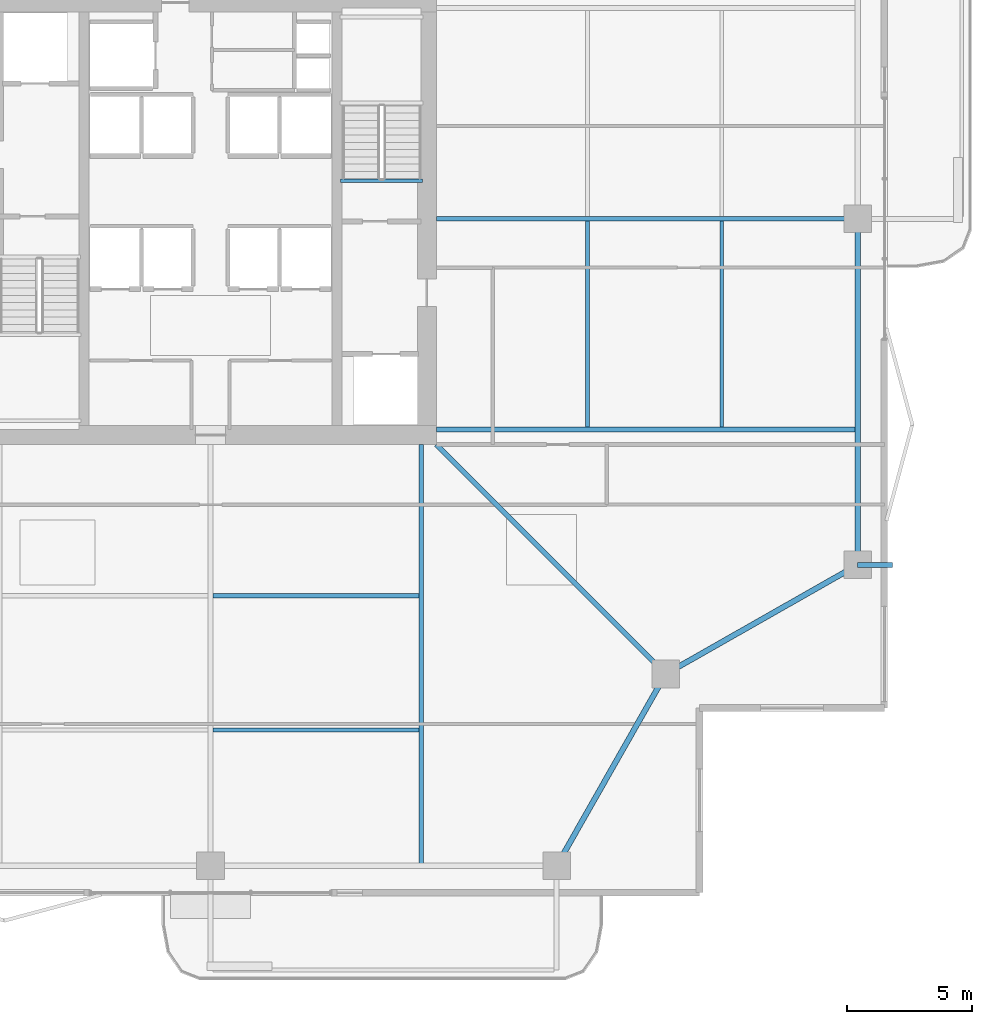
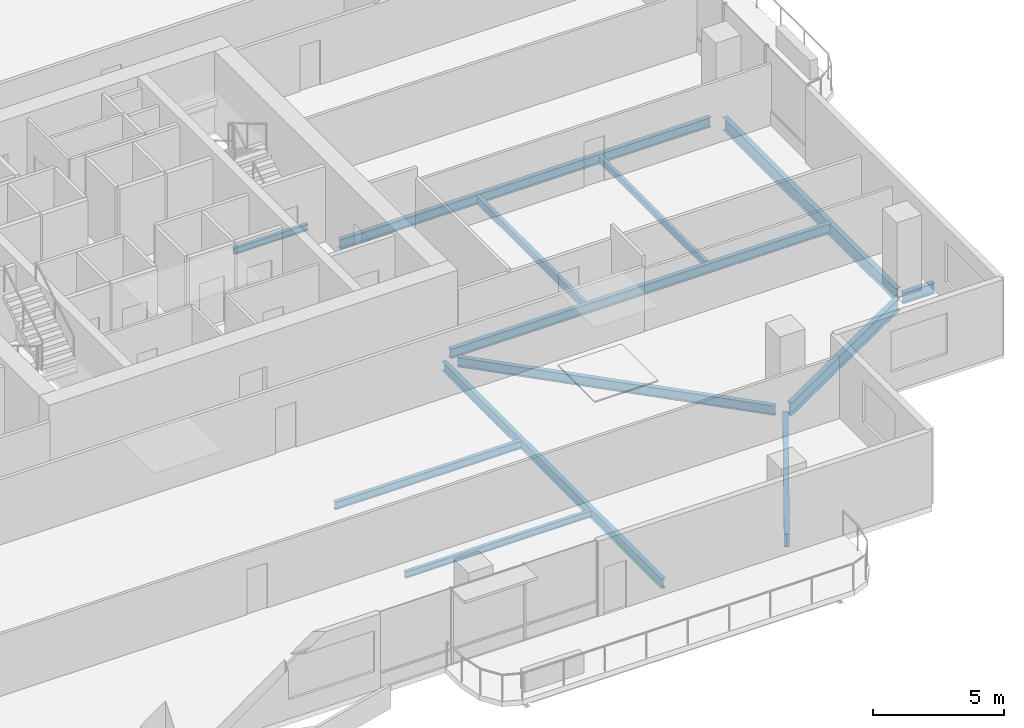
# One storey, part 7 of 24: 13 beams.
"""IFC4 building model written with IfcOpenShell, lengths in metres."""

from ifc_helpers import new_model, si_unit, direction, frame, origin, origin_2d, place, context, subcontext, project, spatial, i_section, extrude, material, material_profile, profile_set, type_object, element, save


model = new_model("IFC4")

# Units and contexts
model_context = context("Model", 3, precision=1e-05, world=origin(), true_north=direction((0.0, 1.0)))
body_context = subcontext(model_context, "Body", "Model", "MODEL_VIEW")
ifc_project = project(units=[si_unit("LENGTHUNIT", "METRE"), si_unit("AREAUNIT", "SQUARE_METRE"), si_unit("VOLUMEUNIT", "CUBIC_METRE"), si_unit("PLANEANGLEUNIT", "RADIAN"), si_unit("MASSUNIT", "GRAM", prefix="KILO")], contexts=[model_context])

# Site, building, storey
site_placement = place(None, origin())
site = spatial("IfcSite", under=ifc_project, at=site_placement, CompositionType="ELEMENT")
building_placement = place(site_placement, origin())
building = spatial("IfcBuilding", under=site, at=building_placement, Name="Belovzor Exchange Tower", CompositionType="ELEMENT")
storey_placement = place(building_placement, frame((0.0, 0.0, 222.449951171875)))
storey = spatial("IfcBuildingStorey", under=building, at=storey_placement, Name="L55", CompositionType="ELEMENT", Elevation=222.449951171875)

# Beams
ifc_material_1 = material(Name="Steel S355", Category="steel")
ifc_material_profile_1 = material_profile(ifc_material_1, i_section(OverallWidth=0.199951171875, OverallDepth=0.5, WebThickness=0.01025390625, FlangeThickness=0.01611328125, at=origin_2d()))
ifc_profile_set_1 = profile_set([ifc_material_profile_1], Name="Steel S355")
beam_type_1 = type_object("IfcBeamType", Name="Planted Balcony Cantilever Beam IPE 500", PredefinedType="BEAM", material=ifc_profile_set_1)
beam_1_placement = place(storey_placement, frame((54.60009765625, 15.0, -0.5), z_axis=(1.0, 0.0, 0.0), x_axis=(0.0, 1.0, 0.0)))
element("IfcBeam", 1, at=beam_1_placement, inside=storey, type_object=beam_type_1, Name="BC-500 Planted Balcony Cantilever Beam IPE 500", PredefinedType="BEAM", context=body_context, shape_type="SweptSolid", body=[
    extrude(i_section(OverallWidth=0.199951171875, OverallDepth=0.5, WebThickness=0.01025390625, FlangeThickness=0.01611328125, at=origin_2d()), origin(), (0.0, 0.0, 1.0), 1.39990234375),
])
ifc_material_2 = material(Name="Steel S355", Category="steel")
ifc_material_profile_2 = material_profile(ifc_material_2, i_section(OverallWidth=0.169921875, OverallDepth=0.360107421875, WebThickness=0.008056640625, FlangeThickness=0.0126953125, at=origin_2d()))
ifc_profile_set_2 = profile_set([ifc_material_profile_2], Name="Steel S355")
beam_type_2 = type_object("IfcBeamType", Name="Secondary Infill Floor Joist IPE 360", PredefinedType="BEAM", material=ifc_profile_set_2)
for number, where, z_axis, x_axis, name in (
    (2, (28.89501953125, 13.77197265625, -0.429931640625), (1.0, 0.0, 0.0), (0.0, 1.0, 0.0), "FJ-360 Secondary Infill Floor Joist IPE 360"),
    (3, (43.827880859375, 20.4951171875, -0.429931640625), (0.0, 1.0, 0.0), (-1.0, 0.0, 0.0), "FJ-360 Secondary Infill Floor Joist IPE 360"),
):
    element("IfcBeam", number, at=place(storey_placement, frame(where, z_axis=z_axis, x_axis=x_axis)), inside=storey, type_object=beam_type_2, Name=name, PredefinedType="BEAM", context=body_context, shape_type="SweptSolid", body=[
        extrude(i_section(OverallWidth=0.169921875, OverallDepth=0.360107421875, WebThickness=0.008056640625, FlangeThickness=0.0126953125, at=origin_2d()), origin(), (0.0, 0.0, 1.0), 8.2099609375),
    ])
ifc_material_3 = material(Name="Steel S355", Category="steel")
ifc_material_profile_3 = material_profile(ifc_material_3, i_section(OverallWidth=0.14990234375, OverallDepth=0.300048828125, WebThickness=0.007080078125, FlangeThickness=0.0107421875, at=origin_2d()))
ifc_profile_set_3 = profile_set([ifc_material_profile_3], Name="Steel S355")
beam_type_3 = type_object("IfcBeamType", Name="Secondary Trim Floor Joist IPE 300", PredefinedType="BEAM", material=ifc_profile_set_3)
beam_2_placement = place(storey_placement, frame((37.260009765625, 30.320068359375, -0.39990234375), z_axis=(-1.0, 0.0, 0.0), x_axis=(0.0, -1.0, 0.0)))
element("IfcBeam", 4, at=beam_2_placement, inside=storey, type_object=beam_type_3, Name="FJ-300 Secondary Trim Floor Joist IPE 300", PredefinedType="BEAM", context=body_context, shape_type="SweptSolid", body=[
    extrude(i_section(OverallWidth=0.14990234375, OverallDepth=0.300048828125, WebThickness=0.007080078125, FlangeThickness=0.0107421875, at=origin_2d()), origin(), (0.0, 0.0, 1.0), 3.27001953125),
])
for number, where, z_axis, x_axis, name in (
    (5, (28.89501953125, 8.4130859375, -0.39990234375), (1.0, 0.0, 0.0), (0.0, 1.0, 0.0), "FJ-300 Secondary Trim Floor Joist IPE 300"),
    (6, (49.18701171875, 20.4951171875, -0.39990234375), (0.0, 1.0, 0.0), (-1.0, 0.0, 0.0), "FJ-300 Secondary Trim Floor Joist IPE 300"),
):
    element("IfcBeam", number, at=place(storey_placement, frame(where, z_axis=z_axis, x_axis=x_axis)), inside=storey, type_object=beam_type_3, Name=name, PredefinedType="BEAM", context=body_context, shape_type="SweptSolid", body=[
        extrude(i_section(OverallWidth=0.14990234375, OverallDepth=0.300048828125, WebThickness=0.007080078125, FlangeThickness=0.0107421875, at=origin_2d()), origin(), (0.0, 0.0, 1.0), 8.2099609375),
    ])
ifc_material_4 = material(Name="Steel S355", Category="steel")
ifc_material_profile_4 = material_profile(ifc_material_4, i_section(OverallWidth=0.18994140625, OverallDepth=0.449951171875, WebThickness=0.009521484375, FlangeThickness=0.0146484375, at=origin_2d()))
ifc_profile_set_4 = profile_set([ifc_material_profile_4], Name="Steel S355")
beam_type_4 = type_object("IfcBeamType", Name="Zone 2-4 Radial Composite Floor Beam IPE 450", PredefinedType="BEAM", material=ifc_profile_set_4)
beam_3_placement = place(storey_placement, frame((37.199951171875, 19.800048828125, -0.474853515625), z_axis=(0.0, -1.0, 0.0), x_axis=(1.0, 0.0, 0.0)))
element("IfcBeam", 7, at=beam_3_placement, inside=storey, type_object=beam_type_4, Name="FB-450 Zone 2-4 Radial Composite Floor Beam IPE 450", PredefinedType="BEAM", context=body_context, shape_type="SweptSolid", body=[
    extrude(i_section(OverallWidth=0.18994140625, OverallDepth=0.449951171875, WebThickness=0.009521484375, FlangeThickness=0.0146484375, at=origin_2d()), origin(), (0.0, 0.0, 1.0), 16.7451171875),
])
beam_4_placement = place(storey_placement, frame((37.800048828125, 20.39990234375, -0.474853515625), z_axis=(1.0, 0.0, 0.0), x_axis=(0.0, 1.0, 0.0)))
element("IfcBeam", 8, at=beam_4_placement, inside=storey, type_object=beam_type_4, Name="FB-450 Zone 2-4 Radial Composite Floor Beam IPE 450", PredefinedType="BEAM", context=body_context, shape_type="SweptSolid", body=[
    extrude(i_section(OverallWidth=0.18994140625, OverallDepth=0.449951171875, WebThickness=0.009521484375, FlangeThickness=0.0146484375, at=origin_2d()), origin(), (0.0, 0.0, 1.0), 16.744873046875),
])
beam_5_placement = place(storey_placement, frame((37.800048828125, 28.800048828125, -0.474853515625), z_axis=(1.0, 0.0, 0.0), x_axis=(0.0, 1.0, 0.0)))
element("IfcBeam", 9, at=beam_5_placement, inside=storey, type_object=beam_type_4, Name="FB-450 Zone 2-4 Radial Composite Floor Beam IPE 450", PredefinedType="BEAM", context=body_context, shape_type="SweptSolid", body=[
    extrude(i_section(OverallWidth=0.18994140625, OverallDepth=0.449951171875, WebThickness=0.009521484375, FlangeThickness=0.0146484375, at=origin_2d()), origin(), (0.0, 0.0, 1.0), 16.31591796875),
])
beam_6_placement = place(storey_placement, frame((37.800048828125, 19.800048828125, -0.474853515625), z_axis=(0.707106781187, -0.707106781187, 0.0), x_axis=(0.707106781187, 0.707106781187, 0.0)))
element("IfcBeam", 10, at=beam_6_placement, inside=storey, type_object=beam_type_4, Name="FB-450 Zone 2-4 Radial Composite Floor Beam IPE 450", PredefinedType="BEAM", context=body_context, shape_type="SweptSolid", body=[
    extrude(i_section(OverallWidth=0.18994140625, OverallDepth=0.449951171875, WebThickness=0.009521484375, FlangeThickness=0.0146484375, at=origin_2d()), origin(), (0.0, 0.0, 1.0), 12.551025390625),
])
ifc_material_5 = material(Name="Steel S355", Category="steel")
ifc_material_profile_5 = material_profile(ifc_material_5, i_section(OverallWidth=0.219970703125, OverallDepth=0.60009765625, WebThickness=0.011962890625, FlangeThickness=0.01904296875, at=origin_2d()))
ifc_profile_set_5 = profile_set([ifc_material_profile_5], Name="Steel S355")
beam_type_5 = type_object("IfcBeamType", Name="Zone 4 Flare Primary Girder IPE 600", PredefinedType="BEAM", material=ifc_profile_set_5)
for number, where, z_axis, x_axis, name in (
    (11, (42.75, 3.262939453125, -0.550048828125), (0.494222323641, 0.869335547884, 0.0), (-0.869335547884, 0.494222323641, 0.0), "FG-Z4 Zone 4 Flare Primary Girder IPE 600"),
    (12, (47.212890625, 10.800048828125, -0.550048828125), (0.869335547884, 0.494222323641, 0.0), (-0.494222323641, 0.869335547884, 0.0), "FG-Z4 Zone 4 Flare Primary Girder IPE 600"),
):
    element("IfcBeam", number, at=place(storey_placement, frame(where, z_axis=z_axis, x_axis=x_axis)), inside=storey, type_object=beam_type_5, Name=name, PredefinedType="BEAM", context=body_context, shape_type="SweptSolid", body=[
        extrude(i_section(OverallWidth=0.219970703125, OverallDepth=0.60009765625, WebThickness=0.011962890625, FlangeThickness=0.01904296875, at=origin_2d()), origin(), (0.0, 0.0, 1.0), 8.19482421875),
    ])
beam_7_placement = place(storey_placement, frame((54.60009765625, 15.302978515625, -0.550048828125), z_axis=(0.0, 1.0, 0.0), x_axis=(-1.0, 0.0, 0.0)))
element("IfcBeam", 13, at=beam_7_placement, inside=storey, type_object=beam_type_5, Name="FG-Z4 Zone 4 Flare Primary Girder IPE 600", PredefinedType="BEAM", context=body_context, shape_type="SweptSolid", body=[
    extrude(i_section(OverallWidth=0.219970703125, OverallDepth=0.60009765625, WebThickness=0.011962890625, FlangeThickness=0.01904296875, at=origin_2d()), origin(), (0.0, 0.0, 1.0), 13.195068359375),
])

save(model, "model.ifc")
